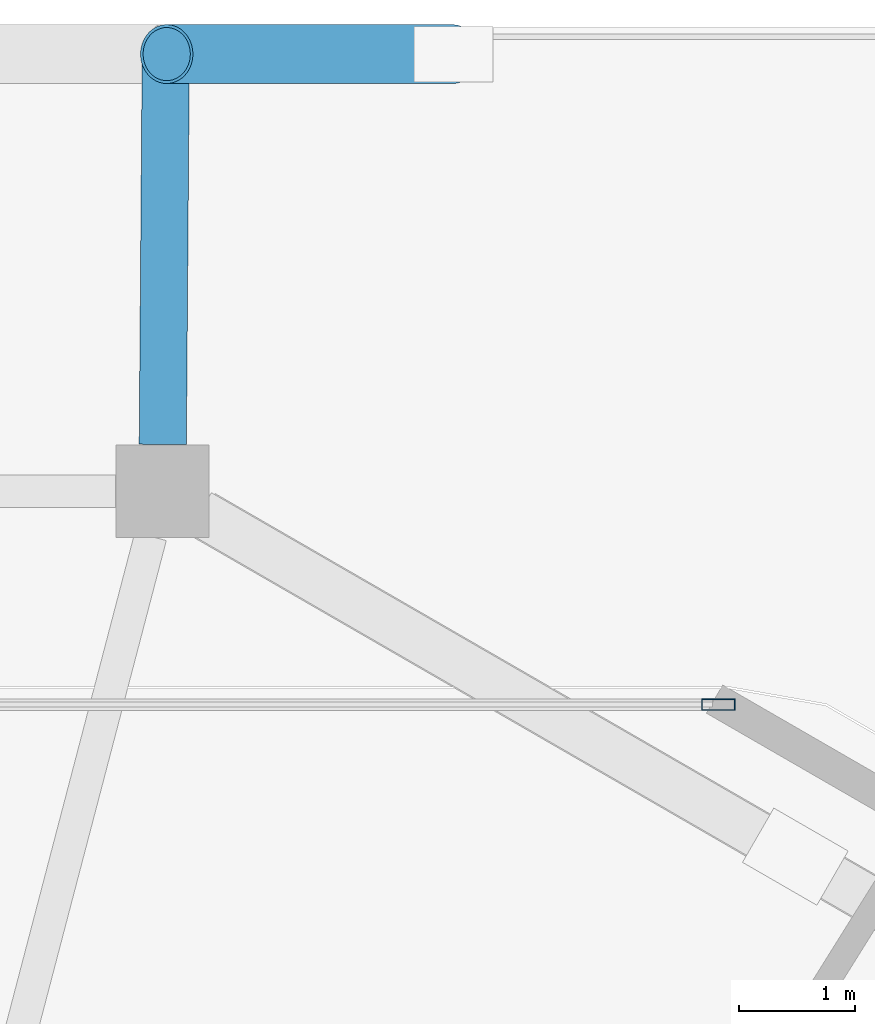
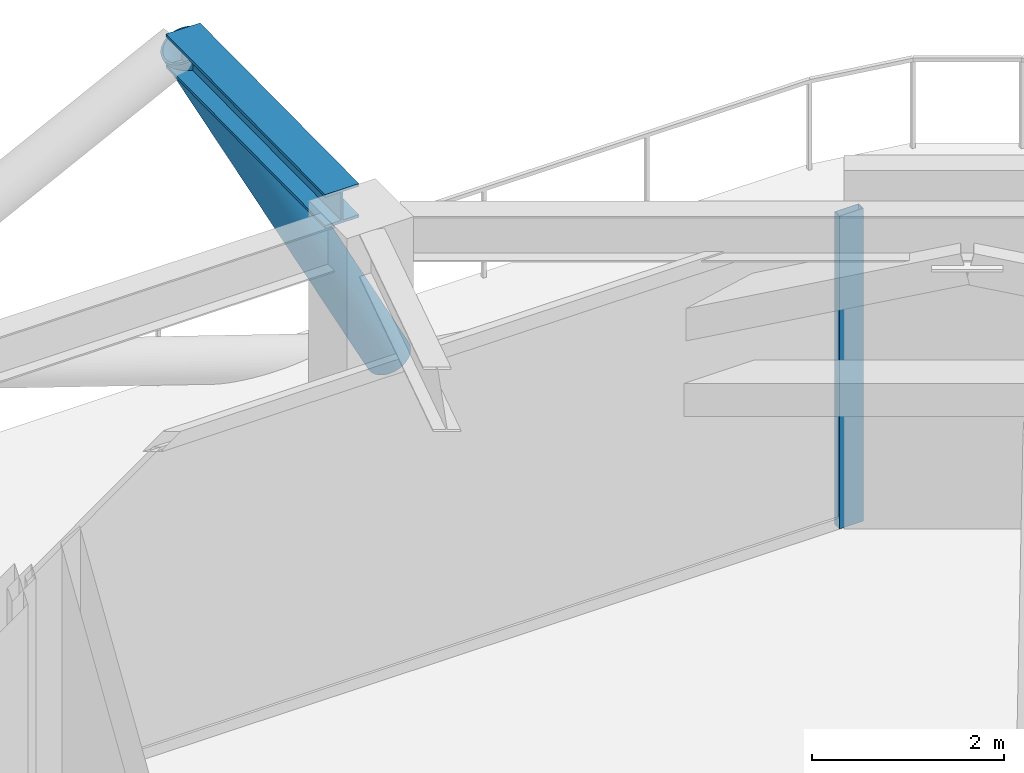
# One storey, part 11 of 19: 2 members, 1 beam, 1 element without a shape of its own.
"""IFC4 building model written with IfcOpenShell, lengths in metres."""

from ifc_helpers import new_model, si_unit, direction, frame, origin, origin_2d, place, context, subcontext, project, spatial, hollow_rectangle, hollow_circle, i_section, extrude, material, material_profile, profile_set, type_object, element, aggregate, save


model = new_model("IFC4")

# Units and contexts
model_context = context("Model", 3, precision=1e-05, world=origin(), true_north=direction((0.0, 1.0)))
body_context = subcontext(model_context, "Body", "Model", "MODEL_VIEW")
ifc_project = project(units=[si_unit("LENGTHUNIT", "METRE"), si_unit("AREAUNIT", "SQUARE_METRE"), si_unit("VOLUMEUNIT", "CUBIC_METRE"), si_unit("PLANEANGLEUNIT", "RADIAN"), si_unit("MASSUNIT", "GRAM", prefix="KILO")], contexts=[model_context])

# Site, building, storey
site_placement = place(None, origin())
site = spatial("IfcSite", under=ifc_project, at=site_placement, CompositionType="ELEMENT")
building_placement = place(site_placement, origin())
building = spatial("IfcBuilding", under=site, at=building_placement, Name="Zuhravey Tower", CompositionType="ELEMENT")
storey_placement = place(building_placement, frame((0.0, 0.0, 303.39990234375)))
storey = spatial("IfcBuildingStorey", under=building, at=storey_placement, Name="L77", CompositionType="ELEMENT", Elevation=303.39990234375)

# Beam
ifc_material_1 = material(Name="Steel SM460", Category="steel")
ifc_material_profile_1 = material_profile(ifc_material_1, i_section(OverallWidth=0.406982421875, OverallDepth=0.427978515625, WebThickness=0.02001953125, FlangeThickness=0.034912109375, at=origin_2d()), Name="H-428x407x20x35")
ifc_profile_set_1 = profile_set([ifc_material_profile_1], Name="Steel SM460")
beam_type = type_object("IfcBeamType", Name="Exoskeleton Node Tie Beam H428x407", PredefinedType="BEAM", material=ifc_profile_set_1)
beam_placement = place(storey_placement, frame((42.041748046875, 55.468017578125, 4.336181640625), z_axis=(0.007649492054, 0.999970742208, 0.0), x_axis=(-0.999970742208, 0.007649492054, 0.0)))
element("IfcBeam", 1, at=beam_placement, inside=storey, type_object=beam_type, Name="L77 Exoskeleton Node Tie NT1-03", PredefinedType="BEAM", context=body_context, shape_type="SweptSolid", body=[
    extrude(i_section(OverallWidth=0.406982421875, OverallDepth=0.427978515625, WebThickness=0.02001953125, FlangeThickness=0.034912109375, at=origin_2d()), origin(), (0.0, 0.0, 1.0), 3.35107421875),
])

# Member
ifc_material_2 = material(Name="Steel SM355", Category="steel")
ifc_material_profile_2 = material_profile(ifc_material_2, hollow_circle(Radius=0.25390625, WallThickness=0.02490234375, at=origin_2d()), Name="CHS-508.0x25")
ifc_profile_set_2 = profile_set([ifc_material_profile_2], Name="Steel SM355")
member_type_1 = type_object("IfcMemberType", Name="Exoskeleton Zone 4 Diagrid CHS508x25", PredefinedType="BRACE", material=ifc_profile_set_2)
member_1_placement = place(storey_placement, frame((44.541259765625, 58.833984375, -0.477783203125), z_axis=(-0.457070855605, 0.0, 0.889430285608), x_axis=(0.0, -1.0, 0.0)))
element("IfcMember", 2, at=member_1_placement, inside=storey, type_object=member_type_1, Name="L77 Face 2 Diagrid Brace 1", PredefinedType="BRACE", context=body_context, shape_type="SweptSolid", body=[
    extrude(hollow_circle(Radius=0.25390625, WallThickness=0.02490234375, at=origin_2d()), origin(), (0.0, 0.0, 1.0), 5.394287109375),
])

# Curtain wall, member
ifc_material_3 = material(Name="Thermally broken anodised aluminium", Category="aluminium")
curtain_wall_type = type_object("IfcCurtainWallType", Name="Sky-Garden Tray Clerestory Curtain Wall CW5", PredefinedType="NOTDEFINED", material=ifc_material_3)
curtain_wall_placement = place(storey_placement, origin())
curtain_wall = element("IfcCurtainWall", 3, at=curtain_wall_placement, inside=storey, type_object=curtain_wall_type, Name="L77 CW5 CW-L77-F2-2", PredefinedType="NOTDEFINED")
ifc_material_4 = material(Name="Anodised aluminium", Category="aluminium")
ifc_material_profile_3 = material_profile(ifc_material_4, hollow_rectangle(XDim=0.10009765625, YDim=0.2900390625, WallThickness=0.006103515625, at=origin_2d()), Name="ALU-RHS-100x290x6")
ifc_profile_set_3 = profile_set([ifc_material_profile_3], Name="Anodised aluminium")
member_type_2 = type_object("IfcMemberType", Name="Heavy Tall-Storey Mullion 100x220", PredefinedType="MULLION", material=ifc_profile_set_3)
member_2_placement = place(storey_placement, frame((46.83251953125, 53.22412109375, 0.0), z_axis=(0.0, 0.0, 1.0), x_axis=(0.0, 1.0, 0.0)))
member_2 = element("IfcMember", 4, at=member_2_placement, type_object=member_type_2, Name="CW5 mullion 2", PredefinedType="MULLION", context=body_context, shape_type="SweptSolid", body=[
    extrude(hollow_rectangle(XDim=0.10009765625, YDim=0.2900390625, WallThickness=0.006103515625, at=origin_2d()), origin(), (0.0, 0.0, 1.0), 3.97021484375),
])
aggregate(curtain_wall, [member_2])

save(model, "model.ifc")
